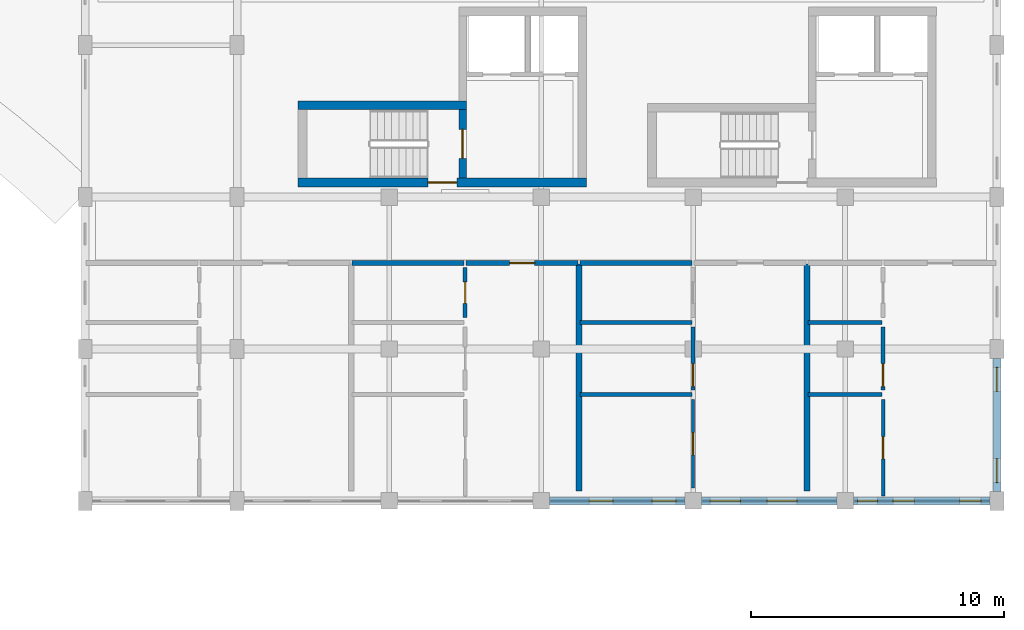
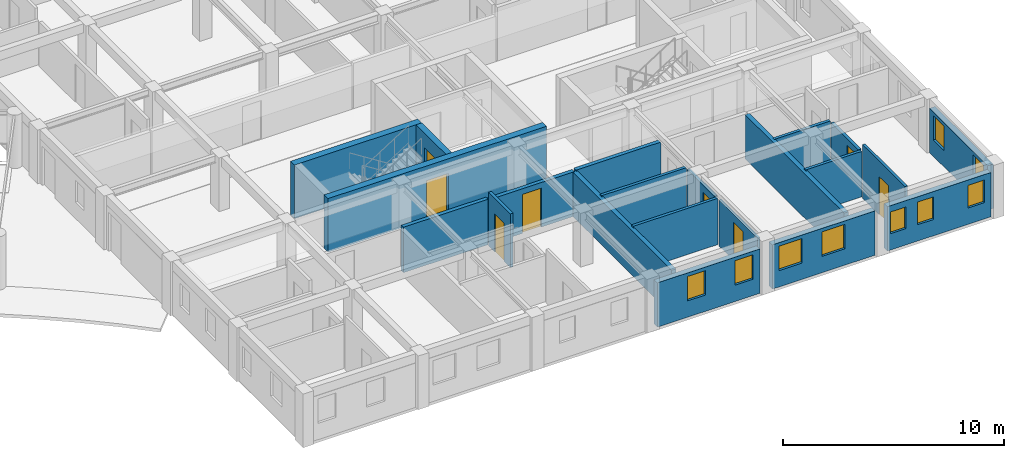
# One storey, part 78 of 100: 21 walls, 9 windows, 8 doors, 17 openings.
"""IFC4 building model written with IfcOpenShell, lengths in metres."""

from ifc_helpers import new_model, si_unit, direction, frame, frame_2d, origin, place, context, subcontext, project, spatial, rectangle, extrude, material, layer, layer_set, type_object, element, fill, save


model = new_model("IFC4")

# Units and contexts
model_context = context("Model", 3, precision=1e-05, world=origin(), true_north=direction((0.0, 1.0)))
body_context = subcontext(model_context, "Body", "Model", "MODEL_VIEW")
ifc_project = project(units=[si_unit("LENGTHUNIT", "METRE"), si_unit("AREAUNIT", "SQUARE_METRE"), si_unit("VOLUMEUNIT", "CUBIC_METRE"), si_unit("PLANEANGLEUNIT", "RADIAN"), si_unit("MASSUNIT", "GRAM", prefix="KILO"), si_unit("POWERUNIT", "WATT"), si_unit("THERMODYNAMICTEMPERATUREUNIT", "KELVIN")], contexts=[model_context])

# Site, building, storey
site_placement = place(None, origin())
site = spatial("IfcSite", under=ifc_project, at=site_placement, CompositionType="ELEMENT")
building_placement = place(site_placement, origin())
building = spatial("IfcBuilding", under=site, at=building_placement, Name="Ruvembo Vaulted Housing Court", CompositionType="ELEMENT")
storey_placement = place(building_placement, frame((0.0, 0.0, 10.89990234375)))
storey = spatial("IfcBuildingStorey", under=building, at=storey_placement, Name="L03", CompositionType="ELEMENT", Elevation=10.89990234375)

# Wall, opening, door
ifc_material_1 = material(Name="Concrete C35/45", Category="concrete")
ifc_layer_1 = layer(ifc_material_1, 0.300048828125, Name="Concrete C35/45")
ifc_layer_set_1 = layer_set([ifc_layer_1], Name="Concrete C35/45")
wall_type_1 = type_object("IfcWallType", Name="WL-CORE-300", PredefinedType="SHEAR", material=ifc_layer_set_1)
wall_1_placement = place(storey_placement, frame((164.89990234375, 84.75, 0.0), z_axis=(0.0, 0.0, 1.0), x_axis=(0.0, 1.0, 0.0)))
wall_1 = element("IfcWall", 1, at=wall_1_placement, inside=storey, type_object=wall_type_1, Name="Core D1 L03 Stair-Lobby Shear Wall", PredefinedType="SHEAR", context=body_context, shape_type="SweptSolid", body=[
    extrude(rectangle(XDim=2.699951171875, YDim=0.300048828125, at=frame_2d((1.35009765625, 0.0))), origin(), (0.0, 0.0, 1.0), 2.960205078125),
])
opening_1_placement = place(wall_1_placement, frame((0.77490234375, 0.0, 0.0)))
opening_1 = element("IfcOpeningElement", 2, at=opening_1_placement, cuts=wall_1, Name="Opening SD1", PredefinedType="OPENING", context=body_context, shape_type="SweptSolid", body=[
    extrude(rectangle(XDim=1.14990234375, YDim=2.14990234375, at=frame_2d((0.574951171875, 1.074951171875))), frame((0.0, 0.159912109375, 0.0), z_axis=(0.0, -1.0, 0.0), x_axis=(1.0, 0.0, 0.0)), (0.0, 0.0, 1.0), 0.320068359375),
])
ifc_material_2 = material(Name="Galvanised Painted Steel", Category="steel")
door_type_1 = type_object("IfcDoorType", Name="DR-STAIR-1150x2150", OperationType="NOTDEFINED", PredefinedType="DOOR", material=ifc_material_2)
door_1_placement = place(opening_1_placement, origin())
door_1 = element("IfcDoor", 3, at=door_1_placement, inside=storey, type_object=door_type_1, Name="Stair ST-D1 L03 Fire Door", OperationType="SINGLE_SWING_RIGHT", OverallHeight=2.14990234375, OverallWidth=1.14990234375, PredefinedType="DOOR", context=body_context, shape_type="SweptSolid", body=[
    extrude(rectangle(XDim=1.14990234375, YDim=2.14990234375, at=frame_2d((0.574951171875, 1.074951171875))), frame((0.0, 0.02490234375, 0.0), z_axis=(0.0, -1.0, 0.0), x_axis=(1.0, 0.0, 0.0)), (0.0, 0.0, 1.0), 0.050048828125),
])
fill(opening_1, door_1)

ifc_layer_2 = layer(ifc_material_1, 0.35009765625, Name="Concrete C35/45")
ifc_layer_set_2 = layer_set([ifc_layer_2], Name="Concrete C35/45")
wall_type_2 = type_object("IfcWallType", Name="WL-CORE-350", PredefinedType="SHEAR", material=ifc_layer_set_2)
wall_2_placement = place(storey_placement, frame((158.39990234375, 84.574951171875, 0.0), z_axis=(0.0, 0.0, 1.0), x_axis=(1.0, 0.0, 0.0)))
wall_2 = element("IfcWall", 4, at=wall_2_placement, inside=storey, type_object=wall_type_2, Name="Core D1 L03 South Shear Wall", PredefinedType="SHEAR", context=body_context, shape_type="SweptSolid", body=[
    extrude(rectangle(XDim=11.400146484375, YDim=0.35009765625, at=frame_2d((5.7001953125, 0.0))), origin(), (0.0, 0.0, 1.0), 2.960205078125),
])
opening_2_placement = place(wall_2_placement, frame((5.125, 0.0, 0.0)))
opening_2 = element("IfcOpeningElement", 5, at=opening_2_placement, cuts=wall_2, Name="Opening LD0", PredefinedType="OPENING", context=body_context, shape_type="SweptSolid", body=[
    extrude(rectangle(XDim=1.14990234375, YDim=2.14990234375, at=frame_2d((0.574951171875, 1.074951171875))), frame((0.0, 0.18505859375, 0.0), z_axis=(0.0, -1.0, 0.0), x_axis=(1.0, 0.0, 0.0)), (0.0, 0.0, 1.0), 0.3701171875),
])
door_type_2 = type_object("IfcDoorType", Name="DR-LOB-1150x2150", OperationType="NOTDEFINED", PredefinedType="DOOR", material=ifc_material_2)
door_2_placement = place(opening_2_placement, origin())
door_2 = element("IfcDoor", 6, at=door_2_placement, inside=storey, type_object=door_type_2, Name="Core D1 L03 Lobby Fire Door", OperationType="SINGLE_SWING_LEFT", OverallHeight=2.14990234375, OverallWidth=1.14990234375, PredefinedType="DOOR", context=body_context, shape_type="SweptSolid", body=[
    extrude(rectangle(XDim=1.14990234375, YDim=2.14990234375, at=frame_2d((0.574951171875, 1.074951171875))), frame((0.0, 0.02490234375, 0.0), z_axis=(0.0, -1.0, 0.0), x_axis=(1.0, 0.0, 0.0)), (0.0, 0.0, 1.0), 0.050048828125),
])
fill(opening_2, door_2)

# Walls
wall_3_placement = place(storey_placement, frame((165.050048828125, 87.625, 0.0), z_axis=(0.0, 0.0, 1.0), x_axis=(-1.0, 0.0, 0.0)))
element("IfcWall", 7, at=wall_3_placement, inside=storey, type_object=wall_type_2, Name="Core D1 L03 Stair North Shear Wall", PredefinedType="SHEAR", context=body_context, shape_type="SweptSolid", body=[
    extrude(rectangle(XDim=6.650146484375, YDim=0.35009765625, at=frame_2d((3.3251953125, 0.0))), origin(), (0.0, 0.0, 1.0), 2.960205078125),
])
ifc_material_3 = material(Name="Concrete Blockwork 200", Category="masonry")
ifc_layer_3 = layer(ifc_material_3, 0.199951171875, Name="Concrete Blockwork 200")
ifc_layer_set_3 = layer_set([ifc_layer_3], Name="Concrete Blockwork 200")
wall_type_3 = type_object("IfcWallType", Name="WL-CORR-200", PredefinedType="SOLIDWALL", material=ifc_layer_set_3)
wall_4_placement = place(storey_placement, frame((160.5400390625, 81.39990234375, 0.0), z_axis=(0.0, 0.0, 1.0), x_axis=(1.0, 0.0, 0.0)))
element("IfcWall", 8, at=wall_4_placement, inside=storey, type_object=wall_type_3, Name="L03 Flat D-L03-S2 Corridor Wall WL-INT-L03-00934", PredefinedType="SOLIDWALL", context=body_context, shape_type="SweptSolid", body=[
    extrude(rectangle(XDim=4.419921875, YDim=0.199951171875, at=frame_2d((2.2099609375, 0.0))), origin(), (0.0, 0.0, 1.0), 2.508056640625),
])

# Wall, opening, door
wall_5_placement = place(storey_placement, frame((165.0400390625, 81.39990234375, 0.0), z_axis=(0.0, 0.0, 1.0), x_axis=(1.0, 0.0, 0.0)))
wall_5 = element("IfcWall", 9, at=wall_5_placement, inside=storey, type_object=wall_type_3, Name="L03 Flat D-L03-S2 Entrance WL-INT-L03-00935", PredefinedType="SOLIDWALL", context=body_context, shape_type="SweptSolid", body=[
    extrude(rectangle(XDim=4.419921875, YDim=0.199951171875, at=frame_2d((2.2099609375, 0.0))), origin(), (0.0, 0.0, 1.0), 2.4580078125),
])
opening_3_placement = place(wall_5_placement, frame((1.719970703125, 0.0, 0.0)))
opening_3 = element("IfcOpeningElement", 10, at=opening_3_placement, cuts=wall_5, Name="Opening FD2", PredefinedType="OPENING", context=body_context, shape_type="SweptSolid", body=[
    extrude(rectangle(XDim=0.97998046875, YDim=2.14990234375, at=frame_2d((0.489990234375, 1.074951171875))), frame((0.0, 0.10986328125, 0.0), z_axis=(0.0, -1.0, 0.0), x_axis=(1.0, 0.0, 0.0)), (0.0, 0.0, 1.0), 0.219970703125),
])
ifc_material_4 = material(Name="FSC Hardwood and Engineered Timber", Category="wood")
door_type_3 = type_object("IfcDoorType", Name="DR-FLAT-0980x2150", OperationType="NOTDEFINED", PredefinedType="DOOR", material=ifc_material_4)
door_3_placement = place(opening_3_placement, origin())
door_3 = element("IfcDoor", 11, at=door_3_placement, inside=storey, type_object=door_type_3, Name="L03 Flat D-L03-S2 Entrance Door DR-INT-L03-00514", OperationType="SINGLE_SWING_RIGHT", OverallHeight=2.14990234375, OverallWidth=0.97998046875, PredefinedType="DOOR", context=body_context, shape_type="SweptSolid", body=[
    extrude(rectangle(XDim=0.97998046875, YDim=2.14990234375, at=frame_2d((0.489990234375, 1.074951171875))), frame((0.0, 0.02490234375, 0.0), z_axis=(0.0, -1.0, 0.0), x_axis=(1.0, 0.0, 0.0)), (0.0, 0.0, 1.0), 0.050048828125),
])
fill(opening_3, door_3)

# Walls
wall_6_placement = place(storey_placement, frame((169.5400390625, 81.39990234375, 0.0), z_axis=(0.0, 0.0, 1.0), x_axis=(1.0, 0.0, 0.0)))
element("IfcWall", 12, at=wall_6_placement, inside=storey, type_object=wall_type_3, Name="L03 Flat D-L03-S3 Corridor Wall WL-INT-L03-00942", PredefinedType="SOLIDWALL", context=body_context, shape_type="SweptSolid", body=[
    extrude(rectangle(XDim=4.419921875, YDim=0.199951171875, at=frame_2d((2.2099609375, 0.0))), origin(), (0.0, 0.0, 1.0), 2.508056640625),
])
ifc_material_5 = material(Name="Acoustic Masonry Demising 230", Category="masonry")
ifc_layer_4 = layer(ifc_material_5, 0.22998046875, Name="Acoustic Masonry Demising 230")
ifc_layer_set_4 = layer_set([ifc_layer_4], Name="Acoustic Masonry Demising 230")
wall_type_4 = type_object("IfcWallType", Name="WL-DEM-230", PredefinedType="SOLIDWALL", material=ifc_layer_set_4)
for number, where, z_axis, x_axis, name in (
    (13, (169.5, 72.389892578125, 0.0), (0.0, 0.0, 1.0), (0.0, 1.0, 0.0), "L03 Demising D-L03-S2 WL-INT-L03-00933"),
    (14, (178.5, 72.389892578125, 0.0), (0.0, 0.0, 1.0), (0.0, 1.0, 0.0), "L03 Demising D-L03-S3 WL-INT-L03-00941"),
):
    element("IfcWall", number, at=place(storey_placement, frame(where, z_axis=z_axis, x_axis=x_axis)), inside=storey, type_object=wall_type_4, Name=name, PredefinedType="SOLIDWALL", context=body_context, shape_type="SweptSolid", body=[
        extrude(rectangle(XDim=8.97021484375, YDim=0.22998046875, at=frame_2d((4.485107421875, 0.0))), origin(), (0.0, 0.0, 1.0), 2.442138671875),
    ])

# Wall, openings, windows
ifc_material_6 = material(Name="Rendered Masonry 300", Category="masonry")
ifc_layer_5 = layer(ifc_material_6, 0.300048828125, Name="Rendered Masonry 300")
ifc_layer_set_5 = layer_set([ifc_layer_5], Name="Rendered Masonry 300")
wall_type_5 = type_object("IfcWallType", Name="WL-EXT-300", PredefinedType="STANDARD", material=ifc_layer_set_5)
wall_7_placement = place(storey_placement, frame((168.324951171875, 72.0, 0.0), z_axis=(0.0, 0.0, 1.0), x_axis=(1.0, 0.0, 0.0)))
wall_7 = element("IfcWall", 15, at=wall_7_placement, inside=storey, type_object=wall_type_5, Name="Block D L03 Exterior Wall COURTYARD #4", PredefinedType="STANDARD", context=body_context, shape_type="SweptSolid", body=[
    extrude(rectangle(XDim=5.35009765625, YDim=0.300048828125, at=frame_2d((2.675048828125, 0.0))), origin(), (0.0, 0.0, 1.0), 2.442138671875),
])
opening_4_placement = place(wall_7_placement, frame((1.56494140625, 0.0, 0.89990234375)))
opening_4 = element("IfcOpeningElement", 16, at=opening_4_placement, cuts=wall_7, Name="Opening W07", PredefinedType="OPENING", context=body_context, shape_type="SweptSolid", body=[
    extrude(rectangle(XDim=0.949951171875, YDim=1.35009765625, at=frame_2d((0.47509765625, 0.675048828125))), frame((0.0, 0.159912109375, 0.0), z_axis=(0.0, -1.0, 0.0), x_axis=(1.0, 0.0, 0.0)), (0.0, 0.0, 1.0), 0.320068359375),
])
opening_5_placement = place(wall_7_placement, frame((4.050048828125, 0.0, 0.89990234375)))
opening_5 = element("IfcOpeningElement", 17, at=opening_5_placement, cuts=wall_7, Name="Opening W07", PredefinedType="OPENING", context=body_context, shape_type="SweptSolid", body=[
    extrude(rectangle(XDim=0.949951171875, YDim=1.35009765625, at=frame_2d((0.47509765625, 0.675048828125))), frame((0.0, 0.159912109375, 0.0), z_axis=(0.0, -1.0, 0.0), x_axis=(1.0, 0.0, 0.0)), (0.0, 0.0, 1.0), 0.320068359375),
])
ifc_material_7 = material(Name="Double Solar-Control Glazing in Aluminium Frame", Category="aluminium")
window_type_1 = type_object("IfcWindowType", Name="WIN-0950x1350", PartitioningType="SINGLE_PANEL", PredefinedType="WINDOW", material=ifc_material_7)
window_1_placement = place(opening_4_placement, origin())
window_1 = element("IfcWindow", 18, at=window_1_placement, inside=storey, type_object=window_type_1, Name="Block D L03 Window #1581", OverallHeight=1.35009765625, OverallWidth=0.949951171875, PartitioningType="SINGLE_PANEL", PredefinedType="WINDOW", context=body_context, shape_type="SweptSolid", body=[
    extrude(rectangle(XDim=0.949951171875, YDim=1.35009765625, at=frame_2d((0.47509765625, 0.675048828125))), frame((0.0, 0.030029296875, 0.0), z_axis=(0.0, -1.0, 0.0), x_axis=(1.0, 0.0, 0.0)), (0.0, 0.0, 1.0), 0.06005859375),
])
fill(opening_4, window_1)
window_2_placement = place(opening_5_placement, origin())
window_2 = element("IfcWindow", 19, at=window_2_placement, inside=storey, type_object=window_type_1, Name="Block D L03 Window #1582", OverallHeight=1.35009765625, OverallWidth=0.949951171875, PartitioningType="SINGLE_PANEL", PredefinedType="WINDOW", context=body_context, shape_type="SweptSolid", body=[
    extrude(rectangle(XDim=0.949951171875, YDim=1.35009765625, at=frame_2d((0.47509765625, 0.675048828125))), frame((0.0, 0.030029296875, 0.0), z_axis=(0.0, -1.0, 0.0), x_axis=(1.0, 0.0, 0.0)), (0.0, 0.0, 1.0), 0.06005859375),
])
fill(opening_5, window_2)

wall_8_placement = place(storey_placement, frame((174.324951171875, 72.0, 0.0), z_axis=(0.0, 0.0, 1.0), x_axis=(1.0, 0.0, 0.0)))
wall_8 = element("IfcWall", 20, at=wall_8_placement, inside=storey, type_object=wall_type_5, Name="Block D L03 Exterior Wall COURTYARD #5", PredefinedType="STANDARD", context=body_context, shape_type="SweptSolid", body=[
    extrude(rectangle(XDim=5.35009765625, YDim=0.300048828125, at=frame_2d((2.675048828125, 0.0))), origin(), (0.0, 0.0, 1.0), 2.442138671875),
])
opening_6_placement = place(wall_8_placement, frame((0.35009765625, 0.0, 0.89990234375)))
opening_6 = element("IfcOpeningElement", 21, at=opening_6_placement, cuts=wall_8, Name="Opening W12", PredefinedType="OPENING", context=body_context, shape_type="SweptSolid", body=[
    extrude(rectangle(XDim=1.199951171875, YDim=1.35009765625, at=frame_2d((0.60009765625, 0.675048828125))), frame((0.0, 0.159912109375, 0.0), z_axis=(0.0, -1.0, 0.0), x_axis=(1.0, 0.0, 0.0)), (0.0, 0.0, 1.0), 0.320068359375),
])
opening_7_placement = place(wall_8_placement, frame((2.5849609375, 0.0, 0.89990234375)))
opening_7 = element("IfcOpeningElement", 22, at=opening_7_placement, cuts=wall_8, Name="Opening W12", PredefinedType="OPENING", context=body_context, shape_type="SweptSolid", body=[
    extrude(rectangle(XDim=1.199951171875, YDim=1.35009765625, at=frame_2d((0.60009765625, 0.675048828125))), frame((0.0, 0.159912109375, 0.0), z_axis=(0.0, -1.0, 0.0), x_axis=(1.0, 0.0, 0.0)), (0.0, 0.0, 1.0), 0.320068359375),
])
window_type_2 = type_object("IfcWindowType", Name="WIN-1200x1350", PartitioningType="SINGLE_PANEL", PredefinedType="WINDOW", material=ifc_material_7)
window_3_placement = place(opening_6_placement, origin())
window_3 = element("IfcWindow", 23, at=window_3_placement, inside=storey, type_object=window_type_2, Name="Block D L03 Window #1583", OverallHeight=1.35009765625, OverallWidth=1.199951171875, PartitioningType="SINGLE_PANEL", PredefinedType="WINDOW", context=body_context, shape_type="SweptSolid", body=[
    extrude(rectangle(XDim=1.199951171875, YDim=1.35009765625, at=frame_2d((0.60009765625, 0.675048828125))), frame((0.0, 0.030029296875, 0.0), z_axis=(0.0, -1.0, 0.0), x_axis=(1.0, 0.0, 0.0)), (0.0, 0.0, 1.0), 0.06005859375),
])
fill(opening_6, window_3)
window_4_placement = place(opening_7_placement, origin())
window_4 = element("IfcWindow", 24, at=window_4_placement, inside=storey, type_object=window_type_2, Name="Block D L03 Window #1584", OverallHeight=1.35009765625, OverallWidth=1.199951171875, PartitioningType="SINGLE_PANEL", PredefinedType="WINDOW", context=body_context, shape_type="SweptSolid", body=[
    extrude(rectangle(XDim=1.199951171875, YDim=1.35009765625, at=frame_2d((0.60009765625, 0.675048828125))), frame((0.0, 0.030029296875, 0.0), z_axis=(0.0, -1.0, 0.0), x_axis=(1.0, 0.0, 0.0)), (0.0, 0.0, 1.0), 0.06005859375),
])
fill(opening_7, window_4)

wall_9_placement = place(storey_placement, frame((180.324951171875, 72.0, 0.0), z_axis=(0.0, 0.0, 1.0), x_axis=(1.0, 0.0, 0.0)))
wall_9 = element("IfcWall", 25, at=wall_9_placement, inside=storey, type_object=wall_type_5, Name="Block D L03 Exterior Wall COURTYARD #6", PredefinedType="STANDARD", context=body_context, shape_type="SweptSolid", body=[
    extrude(rectangle(XDim=5.400146484375, YDim=0.300048828125, at=frame_2d((2.7001953125, 0.0))), origin(), (0.0, 0.0, 1.0), 2.442138671875),
])
opening_8_placement = place(wall_9_placement, frame((1.56494140625, 0.0, 0.89990234375)))
opening_8 = element("IfcOpeningElement", 26, at=opening_8_placement, cuts=wall_9, Name="Opening W03", PredefinedType="OPENING", context=body_context, shape_type="SweptSolid", body=[
    extrude(rectangle(XDim=0.85009765625, YDim=1.25, at=frame_2d((0.425048828125, 0.625))), frame((0.0, 0.159912109375, 0.0), z_axis=(0.0, -1.0, 0.0), x_axis=(1.0, 0.0, 0.0)), (0.0, 0.0, 1.0), 0.320068359375),
])
opening_9_placement = place(wall_9_placement, frame((4.199951171875, 0.0, 0.89990234375)))
opening_9 = element("IfcOpeningElement", 27, at=opening_9_placement, cuts=wall_9, Name="Opening W03", PredefinedType="OPENING", context=body_context, shape_type="SweptSolid", body=[
    extrude(rectangle(XDim=0.85009765625, YDim=1.25, at=frame_2d((0.425048828125, 0.625))), frame((0.0, 0.159912109375, 0.0), z_axis=(0.0, -1.0, 0.0), x_axis=(1.0, 0.0, 0.0)), (0.0, 0.0, 1.0), 0.320068359375),
])
opening_10_placement = place(wall_9_placement, frame((0.15625, 0.0, 0.89990234375)))
opening_10 = element("IfcOpeningElement", 28, at=opening_10_placement, cuts=wall_9, Name="Opening W02", PredefinedType="OPENING", context=body_context, shape_type="SweptSolid", body=[
    extrude(rectangle(XDim=0.800048828125, YDim=1.199951171875, at=frame_2d((0.39990234375, 0.60009765625))), frame((0.0, 0.159912109375, 0.0), z_axis=(0.0, -1.0, 0.0), x_axis=(1.0, 0.0, 0.0)), (0.0, 0.0, 1.0), 0.320068359375),
])
window_type_3 = type_object("IfcWindowType", Name="WIN-0800x1200", PartitioningType="SINGLE_PANEL", PredefinedType="WINDOW", material=ifc_material_7)
window_5_placement = place(opening_10_placement, origin())
window_5 = element("IfcWindow", 29, at=window_5_placement, inside=storey, type_object=window_type_3, Name="Block D L03 Window #2075", OverallHeight=1.199951171875, OverallWidth=0.800048828125, PartitioningType="SINGLE_PANEL", PredefinedType="WINDOW", context=body_context, shape_type="SweptSolid", body=[
    extrude(rectangle(XDim=0.800048828125, YDim=1.199951171875, at=frame_2d((0.39990234375, 0.60009765625))), frame((0.0, 0.030029296875, 0.0), z_axis=(0.0, -1.0, 0.0), x_axis=(1.0, 0.0, 0.0)), (0.0, 0.0, 1.0), 0.06005859375),
])
fill(opening_10, window_5)
window_type_4 = type_object("IfcWindowType", Name="WIN-0850x1250", PartitioningType="SINGLE_PANEL", PredefinedType="WINDOW", material=ifc_material_7)
window_6_placement = place(opening_8_placement, origin())
window_6 = element("IfcWindow", 30, at=window_6_placement, inside=storey, type_object=window_type_4, Name="Block D L03 Window #1585", OverallHeight=1.25, OverallWidth=0.85009765625, PartitioningType="SINGLE_PANEL", PredefinedType="WINDOW", context=body_context, shape_type="SweptSolid", body=[
    extrude(rectangle(XDim=0.85009765625, YDim=1.25, at=frame_2d((0.425048828125, 0.625))), frame((0.0, 0.030029296875, 0.0), z_axis=(0.0, -1.0, 0.0), x_axis=(1.0, 0.0, 0.0)), (0.0, 0.0, 1.0), 0.06005859375),
])
fill(opening_8, window_6)
window_7_placement = place(opening_9_placement, origin())
window_7 = element("IfcWindow", 31, at=window_7_placement, inside=storey, type_object=window_type_4, Name="Block D L03 Window #1586", OverallHeight=1.25, OverallWidth=0.85009765625, PartitioningType="SINGLE_PANEL", PredefinedType="WINDOW", context=body_context, shape_type="SweptSolid", body=[
    extrude(rectangle(XDim=0.85009765625, YDim=1.25, at=frame_2d((0.425048828125, 0.625))), frame((0.0, 0.030029296875, 0.0), z_axis=(0.0, -1.0, 0.0), x_axis=(1.0, 0.0, 0.0)), (0.0, 0.0, 1.0), 0.06005859375),
])
fill(opening_9, window_7)

wall_10_placement = place(storey_placement, frame((186.0, 72.375, 0.0), z_axis=(0.0, 0.0, 1.0), x_axis=(0.0, 1.0, 0.0)))
wall_10 = element("IfcWall", 32, at=wall_10_placement, inside=storey, type_object=wall_type_5, Name="Block D L03 Exterior Wall EAST #1", PredefinedType="STANDARD", context=body_context, shape_type="SweptSolid", body=[
    extrude(rectangle(XDim=5.25, YDim=0.300048828125, at=frame_2d((2.625, 0.0))), origin(), (0.0, 0.0, 1.0), 2.442138671875),
])
opening_11_placement = place(wall_10_placement, frame((0.35009765625, 0.0, 0.89990234375)))
opening_11 = element("IfcOpeningElement", 33, at=opening_11_placement, cuts=wall_10, Name="Opening W07", PredefinedType="OPENING", context=body_context, shape_type="SweptSolid", body=[
    extrude(rectangle(XDim=0.949951171875, YDim=1.35009765625, at=frame_2d((0.47509765625, 0.675048828125))), frame((0.0, 0.159912109375, 0.0), z_axis=(0.0, -1.0, 0.0), x_axis=(1.0, 0.0, 0.0)), (0.0, 0.0, 1.0), 0.320068359375),
])
opening_12_placement = place(wall_10_placement, frame((3.949951171875, 0.0, 0.89990234375)))
opening_12 = element("IfcOpeningElement", 34, at=opening_12_placement, cuts=wall_10, Name="Opening W07", PredefinedType="OPENING", context=body_context, shape_type="SweptSolid", body=[
    extrude(rectangle(XDim=0.949951171875, YDim=1.35009765625, at=frame_2d((0.47509765625, 0.675048828125))), frame((0.0, 0.159912109375, 0.0), z_axis=(0.0, -1.0, 0.0), x_axis=(1.0, 0.0, 0.0)), (0.0, 0.0, 1.0), 0.320068359375),
])
window_8_placement = place(opening_11_placement, origin())
window_8 = element("IfcWindow", 35, at=window_8_placement, inside=storey, type_object=window_type_1, Name="Block D L03 Window #1587", OverallHeight=1.35009765625, OverallWidth=0.949951171875, PartitioningType="SINGLE_PANEL", PredefinedType="WINDOW", context=body_context, shape_type="SweptSolid", body=[
    extrude(rectangle(XDim=0.949951171875, YDim=1.35009765625, at=frame_2d((0.47509765625, 0.675048828125))), frame((0.0, 0.030029296875, 0.0), z_axis=(0.0, -1.0, 0.0), x_axis=(1.0, 0.0, 0.0)), (0.0, 0.0, 1.0), 0.06005859375),
])
fill(opening_11, window_8)
window_9_placement = place(opening_12_placement, origin())
window_9 = element("IfcWindow", 36, at=window_9_placement, inside=storey, type_object=window_type_1, Name="Block D L03 Window #1588", OverallHeight=1.35009765625, OverallWidth=0.949951171875, PartitioningType="SINGLE_PANEL", PredefinedType="WINDOW", context=body_context, shape_type="SweptSolid", body=[
    extrude(rectangle(XDim=0.949951171875, YDim=1.35009765625, at=frame_2d((0.47509765625, 0.675048828125))), frame((0.0, 0.030029296875, 0.0), z_axis=(0.0, -1.0, 0.0), x_axis=(1.0, 0.0, 0.0)), (0.0, 0.0, 1.0), 0.06005859375),
])
fill(opening_12, window_9)

# Wall, opening, door
ifc_material_8 = material(Name="Plasterboard Stud Partition 125", Category="gypsum")
ifc_layer_6 = layer(ifc_material_8, 0.125, Name="Plasterboard Stud Partition 125")
ifc_layer_set_6 = layer_set([ifc_layer_6], Name="Plasterboard Stud Partition 125")
wall_type_6 = type_object("IfcWallType", Name="WL-PART-125", PredefinedType="PARTITIONING", material=ifc_layer_set_6)
wall_11_placement = place(storey_placement, frame((174.0, 72.510009765625, 0.0), z_axis=(0.0, 0.0, 1.0), x_axis=(0.0, 1.0, 0.0)))
wall_11 = element("IfcWall", 37, at=wall_11_placement, inside=storey, type_object=wall_type_6, Name="L03 Flat D-L03-S3 Bedroom 1 WL-INT-L03-00944", PredefinedType="PARTITIONING", context=body_context, shape_type="SweptSolid", body=[
    extrude(rectangle(XDim=3.5, YDim=0.125, at=frame_2d((1.75, 0.0))), origin(), (0.0, 0.0, 1.0), 2.548095703125),
])
opening_13_placement = place(wall_11_placement, frame((1.31005859375, 0.0, 0.0)))
opening_13 = element("IfcOpeningElement", 38, at=opening_13_placement, cuts=wall_11, Name="Opening ID3", PredefinedType="OPENING", context=body_context, shape_type="SweptSolid", body=[
    extrude(rectangle(XDim=0.8798828125, YDim=2.10009765625, at=frame_2d((0.43994140625, 1.050048828125))), frame((0.0, 0.072509765625, 0.0), z_axis=(0.0, -1.0, 0.0), x_axis=(1.0, 0.0, 0.0)), (0.0, 0.0, 1.0), 0.14501953125),
])
door_type_4 = type_object("IfcDoorType", Name="DR-ROOM-0880x2100", OperationType="NOTDEFINED", PredefinedType="DOOR", material=ifc_material_4)
door_4_placement = place(opening_13_placement, origin())
door_4 = element("IfcDoor", 39, at=door_4_placement, inside=storey, type_object=door_type_4, Name="L03 Flat D-L03-S3 Bedroom 1 Door DR-INT-L03-00519", OperationType="SINGLE_SWING_LEFT", OverallHeight=2.10009765625, OverallWidth=0.8798828125, PredefinedType="DOOR", context=body_context, shape_type="SweptSolid", body=[
    extrude(rectangle(XDim=0.8798828125, YDim=2.10009765625, at=frame_2d((0.43994140625, 1.050048828125))), frame((0.0, 0.02490234375, 0.0), z_axis=(0.0, -1.0, 0.0), x_axis=(1.0, 0.0, 0.0)), (0.0, 0.0, 1.0), 0.050048828125),
])
fill(opening_13, door_4)

ifc_material_9 = material(Name="Acoustic Stud Partition 135", Category="gypsum")
ifc_layer_7 = layer(ifc_material_9, 0.135009765625, Name="Acoustic Stud Partition 135")
ifc_layer_set_7 = layer_set([ifc_layer_7], Name="Acoustic Stud Partition 135")
wall_type_7 = type_object("IfcWallType", Name="WL-PART-135", PredefinedType="PARTITIONING", material=ifc_layer_set_7)
wall_12_placement = place(storey_placement, frame((181.5, 72.18994140625, 0.0), z_axis=(0.0, 0.0, 1.0), x_axis=(0.0, 1.0, 0.0)))
wall_12 = element("IfcWall", 40, at=wall_12_placement, inside=storey, type_object=wall_type_7, Name="L03 Flat D-L03-S4 Bedroom 1 WL-INT-L03-00951", PredefinedType="PARTITIONING", context=body_context, shape_type="SweptSolid", body=[
    extrude(rectangle(XDim=3.820068359375, YDim=0.135009765625, at=frame_2d((1.91015625, 0.0))), origin(), (0.0, 0.0, 1.0), 2.960205078125),
])
opening_14_placement = place(wall_12_placement, frame((1.469970703125, 0.0, 0.0)))
opening_14 = element("IfcOpeningElement", 41, at=opening_14_placement, cuts=wall_12, Name="Opening ID3", PredefinedType="OPENING", context=body_context, shape_type="SweptSolid", body=[
    extrude(rectangle(XDim=0.8798828125, YDim=2.10009765625, at=frame_2d((0.43994140625, 1.050048828125))), frame((0.0, 0.077392578125, 0.0), z_axis=(0.0, -1.0, 0.0), x_axis=(1.0, 0.0, 0.0)), (0.0, 0.0, 1.0), 0.155029296875),
])
door_5_placement = place(opening_14_placement, origin())
door_5 = element("IfcDoor", 42, at=door_5_placement, inside=storey, type_object=door_type_4, Name="L03 Flat D-L03-S4 Bedroom 1 Door DR-INT-L03-00523", OperationType="SINGLE_SWING_LEFT", OverallHeight=2.10009765625, OverallWidth=0.8798828125, PredefinedType="DOOR", context=body_context, shape_type="SweptSolid", body=[
    extrude(rectangle(XDim=0.8798828125, YDim=2.10009765625, at=frame_2d((0.43994140625, 1.050048828125))), frame((0.0, 0.02490234375, 0.0), z_axis=(0.0, -1.0, 0.0), x_axis=(1.0, 0.0, 0.0)), (0.0, 0.0, 1.0), 0.050048828125),
])
fill(opening_14, door_5)

ifc_material_10 = material(Name="Moisture-Resistant Wet Partition 150", Category="gypsum")
ifc_layer_8 = layer(ifc_material_10, 0.14990234375, Name="Moisture-Resistant Wet Partition 150")
ifc_layer_set_8 = layer_set([ifc_layer_8], Name="Moisture-Resistant Wet Partition 150")
wall_type_8 = type_object("IfcWallType", Name="WL-PART-150", PredefinedType="PARTITIONING", material=ifc_layer_set_8)
wall_13_placement = place(storey_placement, frame((165.0, 79.239990234375, 0.0), z_axis=(0.0, 0.0, 1.0), x_axis=(0.0, 1.0, 0.0)))
wall_13 = element("IfcWall", 43, at=wall_13_placement, inside=storey, type_object=wall_type_8, Name="L03 Flat D-L03-S2 Bathroom WL-INT-L03-00938", PredefinedType="PARTITIONING", context=body_context, shape_type="SweptSolid", body=[
    extrude(rectangle(XDim=1.969970703125, YDim=0.14990234375, at=frame_2d((0.98486328125, 0.0))), origin(), (0.0, 0.0, 1.0), 2.960205078125),
])
opening_15_placement = place(wall_13_placement, frame((0.56005859375, 0.0, 0.0)))
opening_15 = element("IfcOpeningElement", 44, at=opening_15_placement, cuts=wall_13, Name="Opening ID2", PredefinedType="OPENING", context=body_context, shape_type="SweptSolid", body=[
    extrude(rectangle(XDim=0.85009765625, YDim=2.10009765625, at=frame_2d((0.425048828125, 1.050048828125))), frame((0.0, 0.0849609375, 0.0), z_axis=(0.0, -1.0, 0.0), x_axis=(1.0, 0.0, 0.0)), (0.0, 0.0, 1.0), 0.169921875),
])
door_type_5 = type_object("IfcDoorType", Name="DR-WET-0850x2100", OperationType="NOTDEFINED", PredefinedType="DOOR", material=ifc_material_4)
door_6_placement = place(opening_15_placement, origin())
door_6 = element("IfcDoor", 45, at=door_6_placement, inside=storey, type_object=door_type_5, Name="L03 Flat D-L03-S2 Bathroom Door DR-INT-L03-00517", OperationType="SINGLE_SWING_LEFT", OverallHeight=2.10009765625, OverallWidth=0.85009765625, PredefinedType="DOOR", context=body_context, shape_type="SweptSolid", body=[
    extrude(rectangle(XDim=0.85009765625, YDim=2.10009765625, at=frame_2d((0.425048828125, 1.050048828125))), frame((0.0, 0.02490234375, 0.0), z_axis=(0.0, -1.0, 0.0), x_axis=(1.0, 0.0, 0.0)), (0.0, 0.0, 1.0), 0.050048828125),
])
fill(opening_15, door_6)

# Walls
wall_14_placement = place(storey_placement, frame((169.5400390625, 76.199951171875, 0.0), z_axis=(0.0, 0.0, 1.0), x_axis=(1.0, 0.0, 0.0)))
element("IfcWall", 46, at=wall_14_placement, inside=storey, type_object=wall_type_8, Name="L03 Flat D-L03-S3 Wet Wall 1 WL-INT-L03-00947", PredefinedType="PARTITIONING", context=body_context, shape_type="SweptSolid", body=[
    extrude(rectangle(XDim=4.419921875, YDim=0.14990234375, at=frame_2d((2.2099609375, 0.0))), origin(), (0.0, 0.0, 1.0), 2.548095703125),
])
wall_15_placement = place(storey_placement, frame((169.5400390625, 79.050048828125, 0.0), z_axis=(0.0, 0.0, 1.0), x_axis=(1.0, 0.0, 0.0)))
element("IfcWall", 47, at=wall_15_placement, inside=storey, type_object=wall_type_8, Name="L03 Flat D-L03-S3 Wet Wall 2 WL-INT-L03-00948", PredefinedType="PARTITIONING", context=body_context, shape_type="SweptSolid", body=[
    extrude(rectangle(XDim=4.419921875, YDim=0.14990234375, at=frame_2d((2.2099609375, 0.0))), origin(), (0.0, 0.0, 1.0), 2.508056640625),
])
wall_16_placement = place(storey_placement, frame((178.5400390625, 76.199951171875, 0.0), z_axis=(0.0, 0.0, 1.0), x_axis=(1.0, 0.0, 0.0)))
element("IfcWall", 48, at=wall_16_placement, inside=storey, type_object=wall_type_8, Name="L03 Flat D-L03-S4 Wet Wall 1 WL-INT-L03-00954", PredefinedType="PARTITIONING", context=body_context, shape_type="SweptSolid", body=[
    extrude(rectangle(XDim=2.919921875, YDim=0.14990234375, at=frame_2d((1.4599609375, 0.0))), origin(), (0.0, 0.0, 1.0), 2.508056640625),
])
wall_17_placement = place(storey_placement, frame((178.5400390625, 79.050048828125, 0.0), z_axis=(0.0, 0.0, 1.0), x_axis=(1.0, 0.0, 0.0)))
element("IfcWall", 49, at=wall_17_placement, inside=storey, type_object=wall_type_8, Name="L03 Flat D-L03-S4 Wet Wall 2 WL-INT-L03-00955", PredefinedType="PARTITIONING", context=body_context, shape_type="SweptSolid", body=[
    extrude(rectangle(XDim=2.919921875, YDim=0.14990234375, at=frame_2d((1.4599609375, 0.0))), origin(), (0.0, 0.0, 1.0), 2.4580078125),
])

# Wall, opening, door
ifc_material_11 = material(Name="Acoustic Service Chase Wall 160", Category="gypsum")
ifc_layer_9 = layer(ifc_material_11, 0.159912109375, Name="Acoustic Service Chase Wall 160")
ifc_layer_set_9 = layer_set([ifc_layer_9], Name="Acoustic Service Chase Wall 160")
wall_type_9 = type_object("IfcWallType", Name="WL-PLUMB-160", PredefinedType="PLUMBINGWALL", material=ifc_layer_set_9)
wall_18_placement = place(storey_placement, frame((174.0, 76.389892578125, 0.0), z_axis=(0.0, 0.0, 1.0), x_axis=(0.0, 1.0, 0.0)))
wall_18 = element("IfcWall", 50, at=wall_18_placement, inside=storey, type_object=wall_type_9, Name="L03 Flat D-L03-S3 Kitchen WL-INT-L03-00945", PredefinedType="PLUMBINGWALL", context=body_context, shape_type="SweptSolid", body=[
    extrude(rectangle(XDim=2.47021484375, YDim=0.159912109375, at=frame_2d((1.235107421875, 0.0))), origin(), (0.0, 0.0, 1.0), 2.508056640625),
])
opening_16_placement = place(wall_18_placement, frame((0.1298828125, 0.0, 0.0)))
opening_16 = element("IfcOpeningElement", 51, at=opening_16_placement, cuts=wall_18, Name="Opening ID1", PredefinedType="OPENING", context=body_context, shape_type="SweptSolid", body=[
    extrude(rectangle(XDim=0.89990234375, YDim=2.10009765625, at=frame_2d((0.449951171875, 1.050048828125))), frame((0.0, 0.08984375, 0.0), z_axis=(0.0, -1.0, 0.0), x_axis=(1.0, 0.0, 0.0)), (0.0, 0.0, 1.0), 0.179931640625),
])
door_type_6 = type_object("IfcDoorType", Name="DR-ROOM-0900x2100", OperationType="NOTDEFINED", PredefinedType="DOOR", material=ifc_material_4)
door_7_placement = place(opening_16_placement, origin())
door_7 = element("IfcDoor", 52, at=door_7_placement, inside=storey, type_object=door_type_6, Name="L03 Flat D-L03-S3 Kitchen Door DR-INT-L03-00520", OperationType="SINGLE_SWING_RIGHT", OverallHeight=2.10009765625, OverallWidth=0.89990234375, PredefinedType="DOOR", context=body_context, shape_type="SweptSolid", body=[
    extrude(rectangle(XDim=0.89990234375, YDim=2.10009765625, at=frame_2d((0.449951171875, 1.050048828125))), frame((0.0, 0.02490234375, 0.0), z_axis=(0.0, -1.0, 0.0), x_axis=(1.0, 0.0, 0.0)), (0.0, 0.0, 1.0), 0.050048828125),
])
fill(opening_16, door_7)

wall_19_placement = place(storey_placement, frame((181.5, 76.389892578125, 0.0), z_axis=(0.0, 0.0, 1.0), x_axis=(0.0, 1.0, 0.0)))
wall_19 = element("IfcWall", 53, at=wall_19_placement, inside=storey, type_object=wall_type_9, Name="L03 Flat D-L03-S4 Kitchen WL-INT-L03-00952", PredefinedType="PLUMBINGWALL", context=body_context, shape_type="SweptSolid", body=[
    extrude(rectangle(XDim=2.47021484375, YDim=0.159912109375, at=frame_2d((1.235107421875, 0.0))), origin(), (0.0, 0.0, 1.0), 2.442138671875),
])
opening_17_placement = place(wall_19_placement, frame((0.1298828125, 0.0, 0.0)))
opening_17 = element("IfcOpeningElement", 54, at=opening_17_placement, cuts=wall_19, Name="Opening ID1", PredefinedType="OPENING", context=body_context, shape_type="SweptSolid", body=[
    extrude(rectangle(XDim=0.89990234375, YDim=2.10009765625, at=frame_2d((0.449951171875, 1.050048828125))), frame((0.0, 0.08984375, 0.0), z_axis=(0.0, -1.0, 0.0), x_axis=(1.0, 0.0, 0.0)), (0.0, 0.0, 1.0), 0.179931640625),
])
door_8_placement = place(opening_17_placement, origin())
door_8 = element("IfcDoor", 55, at=door_8_placement, inside=storey, type_object=door_type_6, Name="L03 Flat D-L03-S4 Kitchen Door DR-INT-L03-00524", OperationType="SINGLE_SWING_RIGHT", OverallHeight=2.10009765625, OverallWidth=0.89990234375, PredefinedType="DOOR", context=body_context, shape_type="SweptSolid", body=[
    extrude(rectangle(XDim=0.89990234375, YDim=2.10009765625, at=frame_2d((0.449951171875, 1.050048828125))), frame((0.0, 0.02490234375, 0.0), z_axis=(0.0, -1.0, 0.0), x_axis=(1.0, 0.0, 0.0)), (0.0, 0.0, 1.0), 0.050048828125),
])
fill(opening_17, door_8)

save(model, "model.ifc")
